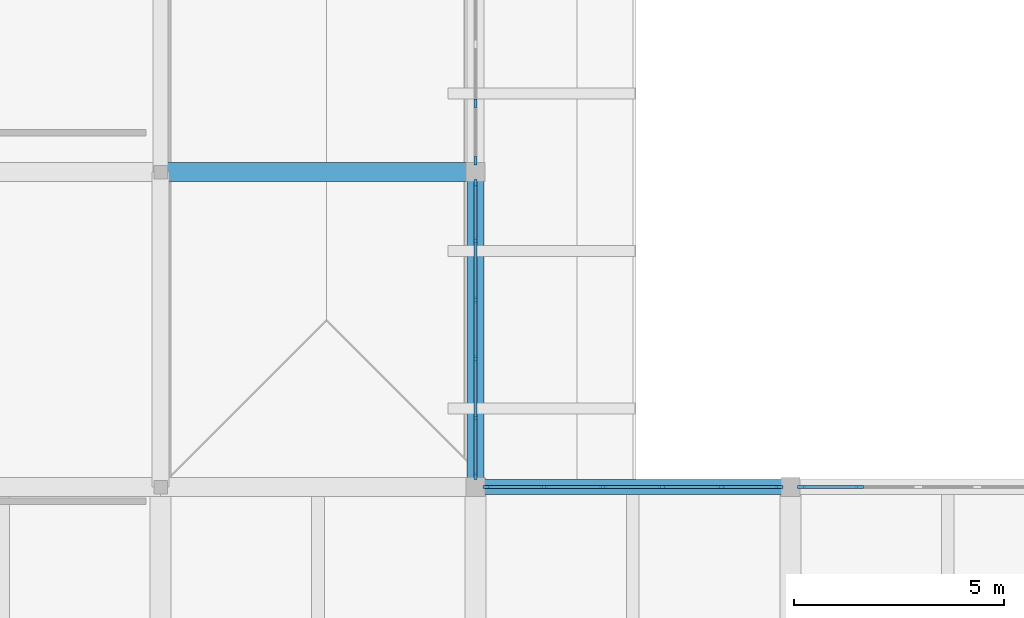
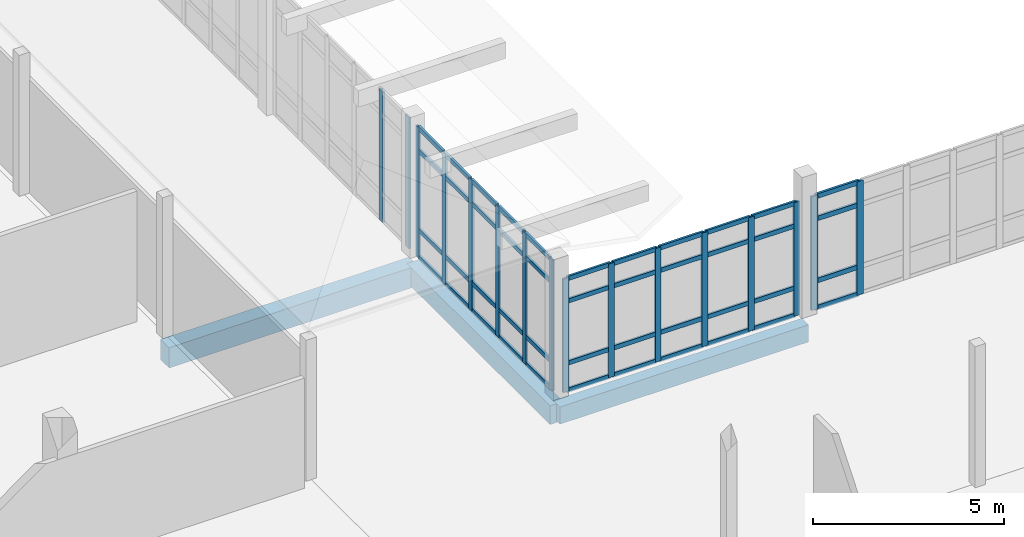
# One storey, part 21 of 128: 60 members, 3 beams, 4 elements without a shape of their own.
"""IFC4 building model written with IfcOpenShell, lengths in metres."""

from ifc_helpers import new_model, si_unit, direction, frame, origin, origin_2d, place, context, subcontext, project, spatial, rectangle, extrude, material, layer, layer_set, material_profile, profile_set, type_object, element, aggregate, save


model = new_model("IFC4")

# Units and contexts
model_context = context("Model", 3, precision=1e-05, world=origin(), true_north=direction((0.0, 1.0)))
body_context = subcontext(model_context, "Body", "Model", "MODEL_VIEW")
ifc_project = project(units=[si_unit("LENGTHUNIT", "METRE"), si_unit("AREAUNIT", "SQUARE_METRE"), si_unit("VOLUMEUNIT", "CUBIC_METRE"), si_unit("PLANEANGLEUNIT", "RADIAN"), si_unit("MASSUNIT", "GRAM", prefix="KILO")], contexts=[model_context])

# Site, building, storey
site_placement = place(None, origin())
site = spatial("IfcSite", under=ifc_project, at=site_placement, CompositionType="ELEMENT")
building_placement = place(site_placement, origin())
building = spatial("IfcBuilding", under=site, at=building_placement, Name="Dalvernix Boulevard General Hospital", CompositionType="ELEMENT")
storey_placement = place(building_placement, frame((0.0, 0.0, 4.800048828125)))
storey = spatial("IfcBuildingStorey", under=building, at=storey_placement, Name="L01", CompositionType="ELEMENT", Elevation=4.800048828125)

# Beams
ifc_material_1 = material(Name="Concrete C35/45", Category="concrete")
ifc_material_profile_1 = material_profile(ifc_material_1, rectangle(XDim=0.449951171875, YDim=0.64990234375, at=origin_2d()), Name="RCB 450x650")
ifc_profile_set_1 = profile_set([ifc_material_profile_1], Name="Concrete C35/45")
beam_type_1 = type_object("IfcBeamType", Name="BM-B-03-I", PredefinedType="BEAM", material=ifc_profile_set_1)
beam_1_placement = place(storey_placement, frame((30.0, 39.0, -0.625), z_axis=(1.0, 0.0, 0.0), x_axis=(0.0, 1.0, 0.0)))
element("IfcBeam", 1, at=beam_1_placement, inside=storey, type_object=beam_type_1, Name="L01 E-W girder F:5-6", PredefinedType="BEAM", context=body_context, shape_type="SweptSolid", body=[
    extrude(rectangle(XDim=0.449951171875, YDim=0.64990234375, at=origin_2d()), origin(), (0.0, 0.0, 1.0), 7.5),
])
ifc_material_profile_2 = material_profile(ifc_material_1, rectangle(XDim=0.35009765625, YDim=0.550048828125, at=origin_2d()), Name="RCB 350x550")
ifc_profile_set_2 = profile_set([ifc_material_profile_2], Name="Concrete C35/45")
beam_type_2 = type_object("IfcBeamType", Name="BM-SB-01-E", PredefinedType="SPANDREL", material=ifc_profile_set_2)
beam_2_placement = place(storey_placement, frame((37.5, 31.5, -0.574951171875), z_axis=(1.0, 0.0, 0.0), x_axis=(0.0, 1.0, 0.0)))
element("IfcBeam", 2, at=beam_2_placement, inside=storey, type_object=beam_type_2, Name="L01 E-W girder E:6-7", PredefinedType="SPANDREL", context=body_context, shape_type="SweptSolid", body=[
    extrude(rectangle(XDim=0.35009765625, YDim=0.550048828125, at=origin_2d()), origin(), (0.0, 0.0, 1.0), 7.5),
])
ifc_material_profile_3 = material_profile(ifc_material_1, rectangle(XDim=0.39990234375, YDim=0.60009765625, at=origin_2d()), Name="RCB 400x600")
ifc_profile_set_3 = profile_set([ifc_material_profile_3], Name="Concrete C35/45")
beam_type_3 = type_object("IfcBeamType", Name="BM-SB-02-E", PredefinedType="SPANDREL", material=ifc_profile_set_3)
beam_3_placement = place(storey_placement, frame((37.5, 31.5, -0.60009765625), z_axis=(0.0, 1.0, 0.0), x_axis=(-1.0, 0.0, 0.0)))
element("IfcBeam", 3, at=beam_3_placement, inside=storey, type_object=beam_type_3, Name="L01 N-S girder 6:E-F", PredefinedType="SPANDREL", context=body_context, shape_type="SweptSolid", body=[
    extrude(rectangle(XDim=0.39990234375, YDim=0.60009765625, at=origin_2d()), origin(), (0.0, 0.0, 1.0), 7.5),
])

# Curtain wall, members
ifc_material_2 = material(Name="Thermally broken aluminium and solar-control glass curtain wall", Category="aluminium")
ifc_layer_1 = layer(ifc_material_2, 0.179931640625)
ifc_layer_set_1 = layer_set([ifc_layer_1], Name="Thermally broken aluminium and solar-control glass curtain wall (CW-CW-B-70x42)")
curtain_wall_type_1 = type_object("IfcCurtainWallType", Name="CW-CW-B-70x42", PredefinedType="USERDEFINED", material=ifc_layer_set_1)
curtain_wall_1_placement = place(storey_placement, origin())
curtain_wall_1 = element("IfcCurtainWall", 4, at=curtain_wall_1_placement, inside=storey, type_object=curtain_wall_type_1, Name="L01 curtain wall CW-B-70x42 5-4", ObjectType="GLAZED FACADE", PredefinedType="USERDEFINED")
ifc_material_3 = material(Name="Aluminium EN AW-6060", Category="aluminium")
ifc_material_profile_4 = material_profile(ifc_material_3, rectangle(XDim=0.06494140625, YDim=0.179931640625, at=origin_2d()), Name="ALU MULL 65x180")
ifc_profile_set_4 = profile_set([ifc_material_profile_4], Name="Aluminium EN AW-6060")
member_type_1 = type_object("IfcMemberType", Name="MEM-CW-M2", PredefinedType="MULLION", material=ifc_profile_set_4)
member_1_placement = place(storey_placement, frame((37.5, 38.732421875, 0.0), z_axis=(0.0, 0.0, 1.0), x_axis=(1.0, 0.0, 0.0)))
member_1 = element("IfcMember", 5, at=member_1_placement, type_object=member_type_1, Name="CW-B-70x42 mullion 1", PredefinedType="MULLION", context=body_context, shape_type="SweptSolid", body=[
    extrude(rectangle(XDim=0.06494140625, YDim=0.179931640625, at=origin_2d()), origin(), (0.0, 0.0, 1.0), 4.179931640625),
])
member_2_placement = place(storey_placement, frame((37.5, 37.35888671875, 0.0), z_axis=(0.0, 0.0, 1.0), x_axis=(1.0, 0.0, 0.0)))
member_2 = element("IfcMember", 6, at=member_2_placement, type_object=member_type_1, Name="CW-B-70x42 mullion 2", PredefinedType="MULLION", context=body_context, shape_type="SweptSolid", body=[
    extrude(rectangle(XDim=0.06494140625, YDim=0.179931640625, at=origin_2d()), origin(), (0.0, 0.0, 1.0), 4.179931640625),
])
member_3_placement = place(storey_placement, frame((37.5, 35.952880859375, 0.0), z_axis=(0.0, 0.0, 1.0), x_axis=(1.0, 0.0, 0.0)))
member_3 = element("IfcMember", 7, at=member_3_placement, type_object=member_type_1, Name="CW-B-70x42 mullion 3", PredefinedType="MULLION", context=body_context, shape_type="SweptSolid", body=[
    extrude(rectangle(XDim=0.06494140625, YDim=0.179931640625, at=origin_2d()), origin(), (0.0, 0.0, 1.0), 4.179931640625),
])
member_4_placement = place(storey_placement, frame((37.5, 34.547119140625, 0.0), z_axis=(0.0, 0.0, 1.0), x_axis=(1.0, 0.0, 0.0)))
member_4 = element("IfcMember", 8, at=member_4_placement, type_object=member_type_1, Name="CW-B-70x42 mullion 4", PredefinedType="MULLION", context=body_context, shape_type="SweptSolid", body=[
    extrude(rectangle(XDim=0.06494140625, YDim=0.179931640625, at=origin_2d()), origin(), (0.0, 0.0, 1.0), 4.179931640625),
])
member_5_placement = place(storey_placement, frame((37.5, 33.14111328125, 0.0), z_axis=(0.0, 0.0, 1.0), x_axis=(1.0, 0.0, 0.0)))
member_5 = element("IfcMember", 9, at=member_5_placement, type_object=member_type_1, Name="CW-B-70x42 mullion 5", PredefinedType="MULLION", context=body_context, shape_type="SweptSolid", body=[
    extrude(rectangle(XDim=0.06494140625, YDim=0.179931640625, at=origin_2d()), origin(), (0.0, 0.0, 1.0), 4.179931640625),
])
member_6_placement = place(storey_placement, frame((37.5, 31.767578125, 0.0), z_axis=(0.0, 0.0, 1.0), x_axis=(1.0, 0.0, 0.0)))
member_6 = element("IfcMember", 10, at=member_6_placement, type_object=member_type_1, Name="CW-B-70x42 mullion 6", PredefinedType="MULLION", context=body_context, shape_type="SweptSolid", body=[
    extrude(rectangle(XDim=0.06494140625, YDim=0.179931640625, at=origin_2d()), origin(), (0.0, 0.0, 1.0), 4.179931640625),
])

ifc_layer_2 = layer(ifc_material_2, 0.179931640625)
ifc_layer_set_2 = layer_set([ifc_layer_2], Name="Thermally broken aluminium and solar-control glass curtain wall (CW-CW-B-70x36)")
curtain_wall_type_2 = type_object("IfcCurtainWallType", Name="CW-CW-B-70x36", PredefinedType="USERDEFINED", material=ifc_layer_set_2)
curtain_wall_2_placement = place(storey_placement, origin())
curtain_wall_2 = element("IfcCurtainWall", 11, at=curtain_wall_2_placement, inside=storey, type_object=curtain_wall_type_2, Name="L01 curtain wall CW-B-70x36 5-4", ObjectType="GLAZED FACADE", PredefinedType="USERDEFINED")
member_7_placement = place(storey_placement, frame((37.767578125, 31.5, 0.0), z_axis=(0.0, 0.0, 1.0), x_axis=(0.0, 1.0, 0.0)))
member_7 = element("IfcMember", 12, at=member_7_placement, type_object=member_type_1, Name="CW-B-70x36 mullion 1", PredefinedType="MULLION", context=body_context, shape_type="SweptSolid", body=[
    extrude(rectangle(XDim=0.06494140625, YDim=0.179931640625, at=origin_2d()), origin(), (0.0, 0.0, 1.0), 3.6298828125),
])
member_8_placement = place(storey_placement, frame((39.14111328125, 31.5, 0.0), z_axis=(0.0, 0.0, 1.0), x_axis=(0.0, 1.0, 0.0)))
member_8 = element("IfcMember", 13, at=member_8_placement, type_object=member_type_1, Name="CW-B-70x36 mullion 2", PredefinedType="MULLION", context=body_context, shape_type="SweptSolid", body=[
    extrude(rectangle(XDim=0.06494140625, YDim=0.179931640625, at=origin_2d()), origin(), (0.0, 0.0, 1.0), 3.6298828125),
])
member_9_placement = place(storey_placement, frame((40.547119140625, 31.5, 0.0), z_axis=(0.0, 0.0, 1.0), x_axis=(0.0, 1.0, 0.0)))
member_9 = element("IfcMember", 14, at=member_9_placement, type_object=member_type_1, Name="CW-B-70x36 mullion 3", PredefinedType="MULLION", context=body_context, shape_type="SweptSolid", body=[
    extrude(rectangle(XDim=0.06494140625, YDim=0.179931640625, at=origin_2d()), origin(), (0.0, 0.0, 1.0), 3.6298828125),
])
member_10_placement = place(storey_placement, frame((41.952880859375, 31.5, 0.0), z_axis=(0.0, 0.0, 1.0), x_axis=(0.0, 1.0, 0.0)))
member_10 = element("IfcMember", 15, at=member_10_placement, type_object=member_type_1, Name="CW-B-70x36 mullion 4", PredefinedType="MULLION", context=body_context, shape_type="SweptSolid", body=[
    extrude(rectangle(XDim=0.06494140625, YDim=0.179931640625, at=origin_2d()), origin(), (0.0, 0.0, 1.0), 3.6298828125),
])
member_11_placement = place(storey_placement, frame((43.35888671875, 31.5, 0.0), z_axis=(0.0, 0.0, 1.0), x_axis=(0.0, 1.0, 0.0)))
member_11 = element("IfcMember", 16, at=member_11_placement, type_object=member_type_1, Name="CW-B-70x36 mullion 5", PredefinedType="MULLION", context=body_context, shape_type="SweptSolid", body=[
    extrude(rectangle(XDim=0.06494140625, YDim=0.179931640625, at=origin_2d()), origin(), (0.0, 0.0, 1.0), 3.6298828125),
])
member_12_placement = place(storey_placement, frame((44.732421875, 31.5, 0.0), z_axis=(0.0, 0.0, 1.0), x_axis=(0.0, 1.0, 0.0)))
member_12 = element("IfcMember", 17, at=member_12_placement, type_object=member_type_1, Name="CW-B-70x36 mullion 6", PredefinedType="MULLION", context=body_context, shape_type="SweptSolid", body=[
    extrude(rectangle(XDim=0.06494140625, YDim=0.179931640625, at=origin_2d()), origin(), (0.0, 0.0, 1.0), 3.6298828125),
])

ifc_layer_3 = layer(ifc_material_2, 0.199951171875)
ifc_layer_set_3 = layer_set([ifc_layer_3], Name="Thermally broken aluminium and solar-control glass curtain wall (CW-CW-C-70x42)")
curtain_wall_type_3 = type_object("IfcCurtainWallType", Name="CW-CW-C-70x42", PredefinedType="USERDEFINED", material=ifc_layer_set_3)
curtain_wall_3_placement = place(storey_placement, origin())
curtain_wall_3 = element("IfcCurtainWall", 18, at=curtain_wall_3_placement, inside=storey, type_object=curtain_wall_type_3, Name="L01 curtain wall CW-C-70x42 5-5", ObjectType="GLAZED FACADE", PredefinedType="USERDEFINED")
ifc_material_profile_5 = material_profile(ifc_material_3, rectangle(XDim=0.070068359375, YDim=0.199951171875, at=origin_2d()), Name="ALU MULL 70x200")
ifc_profile_set_5 = profile_set([ifc_material_profile_5], Name="Aluminium EN AW-6060")
member_type_2 = type_object("IfcMemberType", Name="MEM-CW-M3", PredefinedType="MULLION", material=ifc_profile_set_5)
member_13_placement = place(storey_placement, frame((37.5, 40.64111328125, 0.0), z_axis=(0.0, 0.0, 1.0), x_axis=(1.0, 0.0, 0.0)))
member_13 = element("IfcMember", 19, at=member_13_placement, type_object=member_type_2, Name="CW-C-70x42 mullion 5", PredefinedType="MULLION", context=body_context, shape_type="SweptSolid", body=[
    extrude(rectangle(XDim=0.070068359375, YDim=0.199951171875, at=origin_2d()), origin(), (0.0, 0.0, 1.0), 4.179931640625),
])
member_14_placement = place(storey_placement, frame((37.5, 39.27001953125, 0.0), z_axis=(0.0, 0.0, 1.0), x_axis=(1.0, 0.0, 0.0)))
member_14 = element("IfcMember", 20, at=member_14_placement, type_object=member_type_2, Name="CW-C-70x42 mullion 6", PredefinedType="MULLION", context=body_context, shape_type="SweptSolid", body=[
    extrude(rectangle(XDim=0.070068359375, YDim=0.199951171875, at=origin_2d()), origin(), (0.0, 0.0, 1.0), 4.179931640625),
])
aggregate(curtain_wall_3, [member_13, member_14])

ifc_layer_4 = layer(ifc_material_2, 0.199951171875)
ifc_layer_set_4 = layer_set([ifc_layer_4], Name="Thermally broken aluminium and solar-control glass curtain wall (CW-CW-C-70x36)")
curtain_wall_type_4 = type_object("IfcCurtainWallType", Name="CW-CW-C-70x36", PredefinedType="USERDEFINED", material=ifc_layer_set_4)
curtain_wall_4_placement = place(storey_placement, origin())
curtain_wall_4 = element("IfcCurtainWall", 21, at=curtain_wall_4_placement, inside=storey, type_object=curtain_wall_type_4, Name="L01 curtain wall CW-C-70x36 6-4", ObjectType="GLAZED FACADE", PredefinedType="USERDEFINED")
member_15_placement = place(storey_placement, frame((45.27001953125, 31.5, 0.0), z_axis=(0.0, 0.0, 1.0), x_axis=(0.0, 1.0, 0.0)))
member_15 = element("IfcMember", 22, at=member_15_placement, type_object=member_type_2, Name="CW-C-70x36 mullion 1", PredefinedType="MULLION", context=body_context, shape_type="SweptSolid", body=[
    extrude(rectangle(XDim=0.070068359375, YDim=0.199951171875, at=origin_2d()), origin(), (0.0, 0.0, 1.0), 3.6298828125),
])
member_16_placement = place(storey_placement, frame((46.64111328125, 31.5, 0.0), z_axis=(0.0, 0.0, 1.0), x_axis=(0.0, 1.0, 0.0)))
member_16 = element("IfcMember", 23, at=member_16_placement, type_object=member_type_2, Name="CW-C-70x36 mullion 2", PredefinedType="MULLION", context=body_context, shape_type="SweptSolid", body=[
    extrude(rectangle(XDim=0.070068359375, YDim=0.199951171875, at=origin_2d()), origin(), (0.0, 0.0, 1.0), 3.6298828125),
])

# Member
ifc_material_profile_6 = material_profile(ifc_material_3, rectangle(XDim=0.06494140625, YDim=0.139892578125, at=origin_2d()), Name="ALU TRAN 65x140")
ifc_profile_set_6 = profile_set([ifc_material_profile_6], Name="Aluminium EN AW-6060")
member_type_3 = type_object("IfcMemberType", Name="MEM-CW-T2", PredefinedType="USERDEFINED", material=ifc_profile_set_6)
member_17_placement = place(storey_placement, frame((37.5, 38.699951171875, 0.032470703125), z_axis=(0.0, -1.0, 0.0), x_axis=(1.0, 0.0, 0.0)))
member_17 = element("IfcMember", 24, at=member_17_placement, type_object=member_type_3, Name="CW-B-70x42 transom 1.1", ObjectType="TRANSOM", PredefinedType="USERDEFINED", context=body_context, shape_type="SweptSolid", body=[
    extrude(rectangle(XDim=0.06494140625, YDim=0.139892578125, at=origin_2d()), origin(), (0.0, 0.0, 1.0), 1.308349609375),
])

member_18_placement = place(storey_placement, frame((37.5, 38.699951171875, 0.89990234375), z_axis=(0.0, -1.0, 0.0), x_axis=(1.0, 0.0, 0.0)))
member_18 = element("IfcMember", 25, at=member_18_placement, type_object=member_type_3, Name="CW-B-70x42 transom 1.2", ObjectType="TRANSOM", PredefinedType="USERDEFINED", context=body_context, shape_type="SweptSolid", body=[
    extrude(rectangle(XDim=0.06494140625, YDim=0.139892578125, at=origin_2d()), origin(), (0.0, 0.0, 1.0), 1.308349609375),
])

member_19_placement = place(storey_placement, frame((37.5, 38.699951171875, 3.429931640625), z_axis=(0.0, -1.0, 0.0), x_axis=(1.0, 0.0, 0.0)))
member_19 = element("IfcMember", 26, at=member_19_placement, type_object=member_type_3, Name="CW-B-70x42 transom 1.3", ObjectType="TRANSOM", PredefinedType="USERDEFINED", context=body_context, shape_type="SweptSolid", body=[
    extrude(rectangle(XDim=0.06494140625, YDim=0.139892578125, at=origin_2d()), origin(), (0.0, 0.0, 1.0), 1.308349609375),
])

member_20_placement = place(storey_placement, frame((37.5, 38.699951171875, 4.1474609375), z_axis=(0.0, -1.0, 0.0), x_axis=(1.0, 0.0, 0.0)))
member_20 = element("IfcMember", 27, at=member_20_placement, type_object=member_type_3, Name="CW-B-70x42 transom 1.4", ObjectType="TRANSOM", PredefinedType="USERDEFINED", context=body_context, shape_type="SweptSolid", body=[
    extrude(rectangle(XDim=0.06494140625, YDim=0.139892578125, at=origin_2d()), origin(), (0.0, 0.0, 1.0), 1.308349609375),
])

member_21_placement = place(storey_placement, frame((37.5, 37.326416015625, 0.032470703125), z_axis=(0.0, -1.0, 0.0), x_axis=(1.0, 0.0, 0.0)))
member_21 = element("IfcMember", 28, at=member_21_placement, type_object=member_type_3, Name="CW-B-70x42 transom 2.1", ObjectType="TRANSOM", PredefinedType="USERDEFINED", context=body_context, shape_type="SweptSolid", body=[
    extrude(rectangle(XDim=0.06494140625, YDim=0.139892578125, at=origin_2d()), origin(), (0.0, 0.0, 1.0), 1.3408203125),
])

member_22_placement = place(storey_placement, frame((37.5, 37.326416015625, 0.89990234375), z_axis=(0.0, -1.0, 0.0), x_axis=(1.0, 0.0, 0.0)))
member_22 = element("IfcMember", 29, at=member_22_placement, type_object=member_type_3, Name="CW-B-70x42 transom 2.2", ObjectType="TRANSOM", PredefinedType="USERDEFINED", context=body_context, shape_type="SweptSolid", body=[
    extrude(rectangle(XDim=0.06494140625, YDim=0.139892578125, at=origin_2d()), origin(), (0.0, 0.0, 1.0), 1.3408203125),
])

member_23_placement = place(storey_placement, frame((37.5, 37.326416015625, 3.429931640625), z_axis=(0.0, -1.0, 0.0), x_axis=(1.0, 0.0, 0.0)))
member_23 = element("IfcMember", 30, at=member_23_placement, type_object=member_type_3, Name="CW-B-70x42 transom 2.3", ObjectType="TRANSOM", PredefinedType="USERDEFINED", context=body_context, shape_type="SweptSolid", body=[
    extrude(rectangle(XDim=0.06494140625, YDim=0.139892578125, at=origin_2d()), origin(), (0.0, 0.0, 1.0), 1.3408203125),
])

member_24_placement = place(storey_placement, frame((37.5, 37.326416015625, 4.1474609375), z_axis=(0.0, -1.0, 0.0), x_axis=(1.0, 0.0, 0.0)))
member_24 = element("IfcMember", 31, at=member_24_placement, type_object=member_type_3, Name="CW-B-70x42 transom 2.4", ObjectType="TRANSOM", PredefinedType="USERDEFINED", context=body_context, shape_type="SweptSolid", body=[
    extrude(rectangle(XDim=0.06494140625, YDim=0.139892578125, at=origin_2d()), origin(), (0.0, 0.0, 1.0), 1.3408203125),
])

member_25_placement = place(storey_placement, frame((37.5, 35.92041015625, 0.032470703125), z_axis=(0.0, -1.0, 0.0), x_axis=(1.0, 0.0, 0.0)))
member_25 = element("IfcMember", 32, at=member_25_placement, type_object=member_type_3, Name="CW-B-70x42 transom 3.1", ObjectType="TRANSOM", PredefinedType="USERDEFINED", context=body_context, shape_type="SweptSolid", body=[
    extrude(rectangle(XDim=0.06494140625, YDim=0.139892578125, at=origin_2d()), origin(), (0.0, 0.0, 1.0), 1.3408203125),
])

member_26_placement = place(storey_placement, frame((37.5, 35.92041015625, 0.89990234375), z_axis=(0.0, -1.0, 0.0), x_axis=(1.0, 0.0, 0.0)))
member_26 = element("IfcMember", 33, at=member_26_placement, type_object=member_type_3, Name="CW-B-70x42 transom 3.2", ObjectType="TRANSOM", PredefinedType="USERDEFINED", context=body_context, shape_type="SweptSolid", body=[
    extrude(rectangle(XDim=0.06494140625, YDim=0.139892578125, at=origin_2d()), origin(), (0.0, 0.0, 1.0), 1.3408203125),
])

member_27_placement = place(storey_placement, frame((37.5, 35.92041015625, 3.429931640625), z_axis=(0.0, -1.0, 0.0), x_axis=(1.0, 0.0, 0.0)))
member_27 = element("IfcMember", 34, at=member_27_placement, type_object=member_type_3, Name="CW-B-70x42 transom 3.3", ObjectType="TRANSOM", PredefinedType="USERDEFINED", context=body_context, shape_type="SweptSolid", body=[
    extrude(rectangle(XDim=0.06494140625, YDim=0.139892578125, at=origin_2d()), origin(), (0.0, 0.0, 1.0), 1.3408203125),
])

member_28_placement = place(storey_placement, frame((37.5, 35.92041015625, 4.1474609375), z_axis=(0.0, -1.0, 0.0), x_axis=(1.0, 0.0, 0.0)))
member_28 = element("IfcMember", 35, at=member_28_placement, type_object=member_type_3, Name="CW-B-70x42 transom 3.4", ObjectType="TRANSOM", PredefinedType="USERDEFINED", context=body_context, shape_type="SweptSolid", body=[
    extrude(rectangle(XDim=0.06494140625, YDim=0.139892578125, at=origin_2d()), origin(), (0.0, 0.0, 1.0), 1.3408203125),
])

member_29_placement = place(storey_placement, frame((37.5, 34.514404296875, 0.032470703125), z_axis=(0.0, -1.0, 0.0), x_axis=(1.0, 0.0, 0.0)))
member_29 = element("IfcMember", 36, at=member_29_placement, type_object=member_type_3, Name="CW-B-70x42 transom 4.1", ObjectType="TRANSOM", PredefinedType="USERDEFINED", context=body_context, shape_type="SweptSolid", body=[
    extrude(rectangle(XDim=0.06494140625, YDim=0.139892578125, at=origin_2d()), origin(), (0.0, 0.0, 1.0), 1.3408203125),
])

member_30_placement = place(storey_placement, frame((37.5, 34.514404296875, 0.89990234375), z_axis=(0.0, -1.0, 0.0), x_axis=(1.0, 0.0, 0.0)))
member_30 = element("IfcMember", 37, at=member_30_placement, type_object=member_type_3, Name="CW-B-70x42 transom 4.2", ObjectType="TRANSOM", PredefinedType="USERDEFINED", context=body_context, shape_type="SweptSolid", body=[
    extrude(rectangle(XDim=0.06494140625, YDim=0.139892578125, at=origin_2d()), origin(), (0.0, 0.0, 1.0), 1.3408203125),
])

member_31_placement = place(storey_placement, frame((37.5, 34.514404296875, 3.429931640625), z_axis=(0.0, -1.0, 0.0), x_axis=(1.0, 0.0, 0.0)))
member_31 = element("IfcMember", 38, at=member_31_placement, type_object=member_type_3, Name="CW-B-70x42 transom 4.3", ObjectType="TRANSOM", PredefinedType="USERDEFINED", context=body_context, shape_type="SweptSolid", body=[
    extrude(rectangle(XDim=0.06494140625, YDim=0.139892578125, at=origin_2d()), origin(), (0.0, 0.0, 1.0), 1.3408203125),
])

member_32_placement = place(storey_placement, frame((37.5, 34.514404296875, 4.1474609375), z_axis=(0.0, -1.0, 0.0), x_axis=(1.0, 0.0, 0.0)))
member_32 = element("IfcMember", 39, at=member_32_placement, type_object=member_type_3, Name="CW-B-70x42 transom 4.4", ObjectType="TRANSOM", PredefinedType="USERDEFINED", context=body_context, shape_type="SweptSolid", body=[
    extrude(rectangle(XDim=0.06494140625, YDim=0.139892578125, at=origin_2d()), origin(), (0.0, 0.0, 1.0), 1.3408203125),
])

member_33_placement = place(storey_placement, frame((37.5, 33.1083984375, 0.032470703125), z_axis=(0.0, -1.0, 0.0), x_axis=(1.0, 0.0, 0.0)))
member_33 = element("IfcMember", 40, at=member_33_placement, type_object=member_type_3, Name="CW-B-70x42 transom 5.1", ObjectType="TRANSOM", PredefinedType="USERDEFINED", context=body_context, shape_type="SweptSolid", body=[
    extrude(rectangle(XDim=0.06494140625, YDim=0.139892578125, at=origin_2d()), origin(), (0.0, 0.0, 1.0), 1.308349609375),
])

member_34_placement = place(storey_placement, frame((37.5, 33.1083984375, 0.89990234375), z_axis=(0.0, -1.0, 0.0), x_axis=(1.0, 0.0, 0.0)))
member_34 = element("IfcMember", 41, at=member_34_placement, type_object=member_type_3, Name="CW-B-70x42 transom 5.2", ObjectType="TRANSOM", PredefinedType="USERDEFINED", context=body_context, shape_type="SweptSolid", body=[
    extrude(rectangle(XDim=0.06494140625, YDim=0.139892578125, at=origin_2d()), origin(), (0.0, 0.0, 1.0), 1.308349609375),
])

member_35_placement = place(storey_placement, frame((37.5, 33.1083984375, 3.429931640625), z_axis=(0.0, -1.0, 0.0), x_axis=(1.0, 0.0, 0.0)))
member_35 = element("IfcMember", 42, at=member_35_placement, type_object=member_type_3, Name="CW-B-70x42 transom 5.3", ObjectType="TRANSOM", PredefinedType="USERDEFINED", context=body_context, shape_type="SweptSolid", body=[
    extrude(rectangle(XDim=0.06494140625, YDim=0.139892578125, at=origin_2d()), origin(), (0.0, 0.0, 1.0), 1.308349609375),
])

member_36_placement = place(storey_placement, frame((37.5, 33.1083984375, 4.1474609375), z_axis=(0.0, -1.0, 0.0), x_axis=(1.0, 0.0, 0.0)))
member_36 = element("IfcMember", 43, at=member_36_placement, type_object=member_type_3, Name="CW-B-70x42 transom 5.4", ObjectType="TRANSOM", PredefinedType="USERDEFINED", context=body_context, shape_type="SweptSolid", body=[
    extrude(rectangle(XDim=0.06494140625, YDim=0.139892578125, at=origin_2d()), origin(), (0.0, 0.0, 1.0), 1.308349609375),
])

aggregate(curtain_wall_1, [member_1, member_2, member_3, member_4, member_5, member_6, member_17, member_18, member_19, member_20, member_21, member_22, member_23, member_24, member_25, member_26, member_27, member_28, member_29, member_30, member_31, member_32, member_33, member_34, member_35, member_36])

member_37_placement = place(storey_placement, frame((37.800048828125, 31.5, 0.032470703125), z_axis=(1.0, 0.0, 0.0), x_axis=(0.0, 1.0, 0.0)))
member_37 = element("IfcMember", 44, at=member_37_placement, type_object=member_type_3, Name="CW-B-70x36 transom 1.1", ObjectType="TRANSOM", PredefinedType="USERDEFINED", context=body_context, shape_type="SweptSolid", body=[
    extrude(rectangle(XDim=0.06494140625, YDim=0.139892578125, at=origin_2d()), origin(), (0.0, 0.0, 1.0), 1.308349609375),
])

member_38_placement = place(storey_placement, frame((37.800048828125, 31.5, 0.89990234375), z_axis=(1.0, 0.0, 0.0), x_axis=(0.0, 1.0, 0.0)))
member_38 = element("IfcMember", 45, at=member_38_placement, type_object=member_type_3, Name="CW-B-70x36 transom 1.2", ObjectType="TRANSOM", PredefinedType="USERDEFINED", context=body_context, shape_type="SweptSolid", body=[
    extrude(rectangle(XDim=0.06494140625, YDim=0.139892578125, at=origin_2d()), origin(), (0.0, 0.0, 1.0), 1.308349609375),
])

member_39_placement = place(storey_placement, frame((37.800048828125, 31.5, 2.8798828125), z_axis=(1.0, 0.0, 0.0), x_axis=(0.0, 1.0, 0.0)))
member_39 = element("IfcMember", 46, at=member_39_placement, type_object=member_type_3, Name="CW-B-70x36 transom 1.3", ObjectType="TRANSOM", PredefinedType="USERDEFINED", context=body_context, shape_type="SweptSolid", body=[
    extrude(rectangle(XDim=0.06494140625, YDim=0.139892578125, at=origin_2d()), origin(), (0.0, 0.0, 1.0), 1.308349609375),
])

member_40_placement = place(storey_placement, frame((37.800048828125, 31.5, 3.597412109375), z_axis=(1.0, 0.0, 0.0), x_axis=(0.0, 1.0, 0.0)))
member_40 = element("IfcMember", 47, at=member_40_placement, type_object=member_type_3, Name="CW-B-70x36 transom 1.4", ObjectType="TRANSOM", PredefinedType="USERDEFINED", context=body_context, shape_type="SweptSolid", body=[
    extrude(rectangle(XDim=0.06494140625, YDim=0.139892578125, at=origin_2d()), origin(), (0.0, 0.0, 1.0), 1.308349609375),
])

member_41_placement = place(storey_placement, frame((39.173583984375, 31.5, 0.032470703125), z_axis=(1.0, 0.0, 0.0), x_axis=(0.0, 1.0, 0.0)))
member_41 = element("IfcMember", 48, at=member_41_placement, type_object=member_type_3, Name="CW-B-70x36 transom 2.1", ObjectType="TRANSOM", PredefinedType="USERDEFINED", context=body_context, shape_type="SweptSolid", body=[
    extrude(rectangle(XDim=0.06494140625, YDim=0.139892578125, at=origin_2d()), origin(), (0.0, 0.0, 1.0), 1.3408203125),
])

member_42_placement = place(storey_placement, frame((39.173583984375, 31.5, 0.89990234375), z_axis=(1.0, 0.0, 0.0), x_axis=(0.0, 1.0, 0.0)))
member_42 = element("IfcMember", 49, at=member_42_placement, type_object=member_type_3, Name="CW-B-70x36 transom 2.2", ObjectType="TRANSOM", PredefinedType="USERDEFINED", context=body_context, shape_type="SweptSolid", body=[
    extrude(rectangle(XDim=0.06494140625, YDim=0.139892578125, at=origin_2d()), origin(), (0.0, 0.0, 1.0), 1.3408203125),
])

member_43_placement = place(storey_placement, frame((39.173583984375, 31.5, 2.8798828125), z_axis=(1.0, 0.0, 0.0), x_axis=(0.0, 1.0, 0.0)))
member_43 = element("IfcMember", 50, at=member_43_placement, type_object=member_type_3, Name="CW-B-70x36 transom 2.3", ObjectType="TRANSOM", PredefinedType="USERDEFINED", context=body_context, shape_type="SweptSolid", body=[
    extrude(rectangle(XDim=0.06494140625, YDim=0.139892578125, at=origin_2d()), origin(), (0.0, 0.0, 1.0), 1.3408203125),
])

member_44_placement = place(storey_placement, frame((39.173583984375, 31.5, 3.597412109375), z_axis=(1.0, 0.0, 0.0), x_axis=(0.0, 1.0, 0.0)))
member_44 = element("IfcMember", 51, at=member_44_placement, type_object=member_type_3, Name="CW-B-70x36 transom 2.4", ObjectType="TRANSOM", PredefinedType="USERDEFINED", context=body_context, shape_type="SweptSolid", body=[
    extrude(rectangle(XDim=0.06494140625, YDim=0.139892578125, at=origin_2d()), origin(), (0.0, 0.0, 1.0), 1.3408203125),
])

member_45_placement = place(storey_placement, frame((40.57958984375, 31.5, 0.032470703125), z_axis=(1.0, 0.0, 0.0), x_axis=(0.0, 1.0, 0.0)))
member_45 = element("IfcMember", 52, at=member_45_placement, type_object=member_type_3, Name="CW-B-70x36 transom 3.1", ObjectType="TRANSOM", PredefinedType="USERDEFINED", context=body_context, shape_type="SweptSolid", body=[
    extrude(rectangle(XDim=0.06494140625, YDim=0.139892578125, at=origin_2d()), origin(), (0.0, 0.0, 1.0), 1.3408203125),
])

member_46_placement = place(storey_placement, frame((40.57958984375, 31.5, 0.89990234375), z_axis=(1.0, 0.0, 0.0), x_axis=(0.0, 1.0, 0.0)))
member_46 = element("IfcMember", 53, at=member_46_placement, type_object=member_type_3, Name="CW-B-70x36 transom 3.2", ObjectType="TRANSOM", PredefinedType="USERDEFINED", context=body_context, shape_type="SweptSolid", body=[
    extrude(rectangle(XDim=0.06494140625, YDim=0.139892578125, at=origin_2d()), origin(), (0.0, 0.0, 1.0), 1.3408203125),
])

member_47_placement = place(storey_placement, frame((40.57958984375, 31.5, 2.8798828125), z_axis=(1.0, 0.0, 0.0), x_axis=(0.0, 1.0, 0.0)))
member_47 = element("IfcMember", 54, at=member_47_placement, type_object=member_type_3, Name="CW-B-70x36 transom 3.3", ObjectType="TRANSOM", PredefinedType="USERDEFINED", context=body_context, shape_type="SweptSolid", body=[
    extrude(rectangle(XDim=0.06494140625, YDim=0.139892578125, at=origin_2d()), origin(), (0.0, 0.0, 1.0), 1.3408203125),
])

member_48_placement = place(storey_placement, frame((40.57958984375, 31.5, 3.597412109375), z_axis=(1.0, 0.0, 0.0), x_axis=(0.0, 1.0, 0.0)))
member_48 = element("IfcMember", 55, at=member_48_placement, type_object=member_type_3, Name="CW-B-70x36 transom 3.4", ObjectType="TRANSOM", PredefinedType="USERDEFINED", context=body_context, shape_type="SweptSolid", body=[
    extrude(rectangle(XDim=0.06494140625, YDim=0.139892578125, at=origin_2d()), origin(), (0.0, 0.0, 1.0), 1.3408203125),
])

member_49_placement = place(storey_placement, frame((41.985595703125, 31.5, 0.032470703125), z_axis=(1.0, 0.0, 0.0), x_axis=(0.0, 1.0, 0.0)))
member_49 = element("IfcMember", 56, at=member_49_placement, type_object=member_type_3, Name="CW-B-70x36 transom 4.1", ObjectType="TRANSOM", PredefinedType="USERDEFINED", context=body_context, shape_type="SweptSolid", body=[
    extrude(rectangle(XDim=0.06494140625, YDim=0.139892578125, at=origin_2d()), origin(), (0.0, 0.0, 1.0), 1.3408203125),
])

member_50_placement = place(storey_placement, frame((41.985595703125, 31.5, 0.89990234375), z_axis=(1.0, 0.0, 0.0), x_axis=(0.0, 1.0, 0.0)))
member_50 = element("IfcMember", 57, at=member_50_placement, type_object=member_type_3, Name="CW-B-70x36 transom 4.2", ObjectType="TRANSOM", PredefinedType="USERDEFINED", context=body_context, shape_type="SweptSolid", body=[
    extrude(rectangle(XDim=0.06494140625, YDim=0.139892578125, at=origin_2d()), origin(), (0.0, 0.0, 1.0), 1.3408203125),
])

member_51_placement = place(storey_placement, frame((41.985595703125, 31.5, 2.8798828125), z_axis=(1.0, 0.0, 0.0), x_axis=(0.0, 1.0, 0.0)))
member_51 = element("IfcMember", 58, at=member_51_placement, type_object=member_type_3, Name="CW-B-70x36 transom 4.3", ObjectType="TRANSOM", PredefinedType="USERDEFINED", context=body_context, shape_type="SweptSolid", body=[
    extrude(rectangle(XDim=0.06494140625, YDim=0.139892578125, at=origin_2d()), origin(), (0.0, 0.0, 1.0), 1.3408203125),
])

member_52_placement = place(storey_placement, frame((41.985595703125, 31.5, 3.597412109375), z_axis=(1.0, 0.0, 0.0), x_axis=(0.0, 1.0, 0.0)))
member_52 = element("IfcMember", 59, at=member_52_placement, type_object=member_type_3, Name="CW-B-70x36 transom 4.4", ObjectType="TRANSOM", PredefinedType="USERDEFINED", context=body_context, shape_type="SweptSolid", body=[
    extrude(rectangle(XDim=0.06494140625, YDim=0.139892578125, at=origin_2d()), origin(), (0.0, 0.0, 1.0), 1.3408203125),
])

member_53_placement = place(storey_placement, frame((43.3916015625, 31.5, 0.032470703125), z_axis=(1.0, 0.0, 0.0), x_axis=(0.0, 1.0, 0.0)))
member_53 = element("IfcMember", 60, at=member_53_placement, type_object=member_type_3, Name="CW-B-70x36 transom 5.1", ObjectType="TRANSOM", PredefinedType="USERDEFINED", context=body_context, shape_type="SweptSolid", body=[
    extrude(rectangle(XDim=0.06494140625, YDim=0.139892578125, at=origin_2d()), origin(), (0.0, 0.0, 1.0), 1.308349609375),
])

member_54_placement = place(storey_placement, frame((43.3916015625, 31.5, 0.89990234375), z_axis=(1.0, 0.0, 0.0), x_axis=(0.0, 1.0, 0.0)))
member_54 = element("IfcMember", 61, at=member_54_placement, type_object=member_type_3, Name="CW-B-70x36 transom 5.2", ObjectType="TRANSOM", PredefinedType="USERDEFINED", context=body_context, shape_type="SweptSolid", body=[
    extrude(rectangle(XDim=0.06494140625, YDim=0.139892578125, at=origin_2d()), origin(), (0.0, 0.0, 1.0), 1.308349609375),
])

member_55_placement = place(storey_placement, frame((43.3916015625, 31.5, 2.8798828125), z_axis=(1.0, 0.0, 0.0), x_axis=(0.0, 1.0, 0.0)))
member_55 = element("IfcMember", 62, at=member_55_placement, type_object=member_type_3, Name="CW-B-70x36 transom 5.3", ObjectType="TRANSOM", PredefinedType="USERDEFINED", context=body_context, shape_type="SweptSolid", body=[
    extrude(rectangle(XDim=0.06494140625, YDim=0.139892578125, at=origin_2d()), origin(), (0.0, 0.0, 1.0), 1.308349609375),
])

member_56_placement = place(storey_placement, frame((43.3916015625, 31.5, 3.597412109375), z_axis=(1.0, 0.0, 0.0), x_axis=(0.0, 1.0, 0.0)))
member_56 = element("IfcMember", 63, at=member_56_placement, type_object=member_type_3, Name="CW-B-70x36 transom 5.4", ObjectType="TRANSOM", PredefinedType="USERDEFINED", context=body_context, shape_type="SweptSolid", body=[
    extrude(rectangle(XDim=0.06494140625, YDim=0.139892578125, at=origin_2d()), origin(), (0.0, 0.0, 1.0), 1.308349609375),
])

aggregate(curtain_wall_2, [member_7, member_8, member_9, member_10, member_11, member_12, member_37, member_38, member_39, member_40, member_41, member_42, member_43, member_44, member_45, member_46, member_47, member_48, member_49, member_50, member_51, member_52, member_53, member_54, member_55, member_56])

ifc_material_profile_7 = material_profile(ifc_material_3, rectangle(XDim=0.070068359375, YDim=0.14990234375, at=origin_2d()), Name="ALU TRAN 70x150")
ifc_profile_set_7 = profile_set([ifc_material_profile_7], Name="Aluminium EN AW-6060")
member_type_4 = type_object("IfcMemberType", Name="MEM-CW-T3", PredefinedType="USERDEFINED", material=ifc_profile_set_7)
member_57_placement = place(storey_placement, frame((45.304931640625, 31.5, 0.034912109375), z_axis=(1.0, 0.0, 0.0), x_axis=(0.0, 1.0, 0.0)))
member_57 = element("IfcMember", 64, at=member_57_placement, type_object=member_type_4, Name="CW-C-70x36 transom 1.1", ObjectType="TRANSOM", PredefinedType="USERDEFINED", context=body_context, shape_type="SweptSolid", body=[
    extrude(rectangle(XDim=0.070068359375, YDim=0.14990234375, at=origin_2d()), origin(), (0.0, 0.0, 1.0), 1.301025390625),
])

member_58_placement = place(storey_placement, frame((45.304931640625, 31.5, 0.89990234375), z_axis=(1.0, 0.0, 0.0), x_axis=(0.0, 1.0, 0.0)))
member_58 = element("IfcMember", 65, at=member_58_placement, type_object=member_type_4, Name="CW-C-70x36 transom 1.2", ObjectType="TRANSOM", PredefinedType="USERDEFINED", context=body_context, shape_type="SweptSolid", body=[
    extrude(rectangle(XDim=0.070068359375, YDim=0.14990234375, at=origin_2d()), origin(), (0.0, 0.0, 1.0), 1.301025390625),
])

member_59_placement = place(storey_placement, frame((45.304931640625, 31.5, 2.8798828125), z_axis=(1.0, 0.0, 0.0), x_axis=(0.0, 1.0, 0.0)))
member_59 = element("IfcMember", 66, at=member_59_placement, type_object=member_type_4, Name="CW-C-70x36 transom 1.3", ObjectType="TRANSOM", PredefinedType="USERDEFINED", context=body_context, shape_type="SweptSolid", body=[
    extrude(rectangle(XDim=0.070068359375, YDim=0.14990234375, at=origin_2d()), origin(), (0.0, 0.0, 1.0), 1.301025390625),
])

member_60_placement = place(storey_placement, frame((45.304931640625, 31.5, 3.594970703125), z_axis=(1.0, 0.0, 0.0), x_axis=(0.0, 1.0, 0.0)))
member_60 = element("IfcMember", 67, at=member_60_placement, type_object=member_type_4, Name="CW-C-70x36 transom 1.4", ObjectType="TRANSOM", PredefinedType="USERDEFINED", context=body_context, shape_type="SweptSolid", body=[
    extrude(rectangle(XDim=0.070068359375, YDim=0.14990234375, at=origin_2d()), origin(), (0.0, 0.0, 1.0), 1.301025390625),
])

aggregate(curtain_wall_4, [member_15, member_16, member_57, member_58, member_59, member_60])

save(model, "model.ifc")
